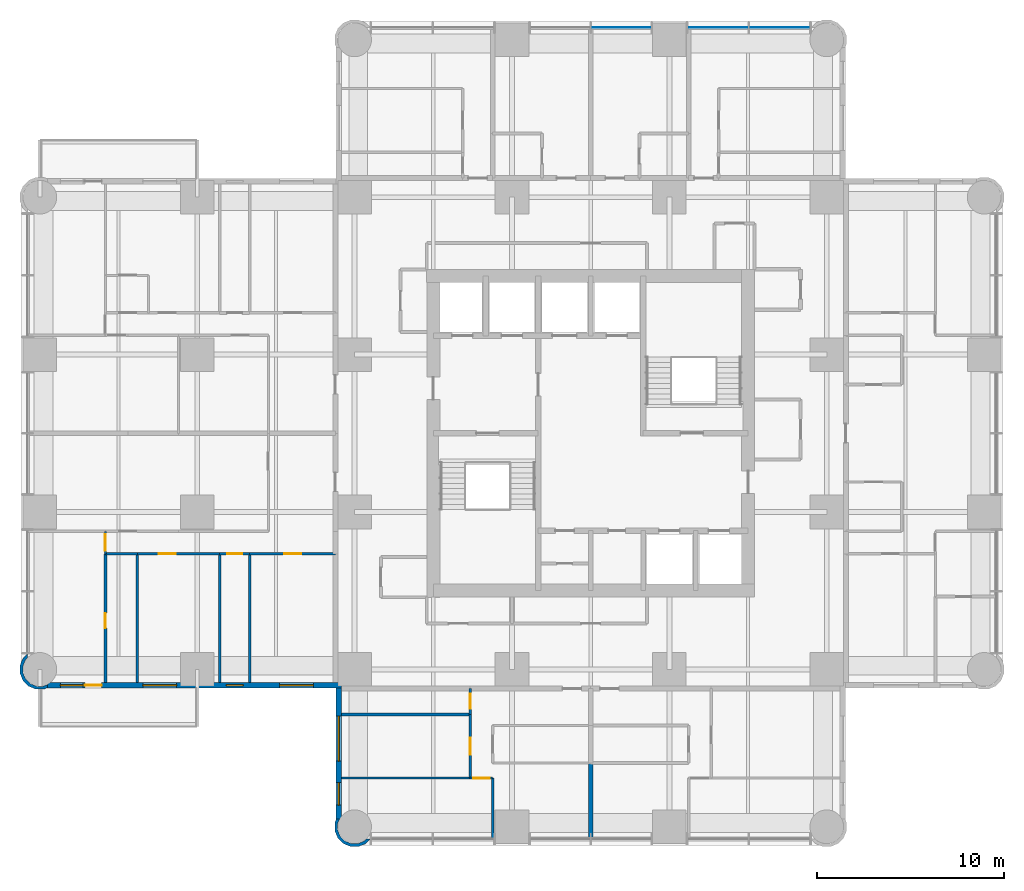
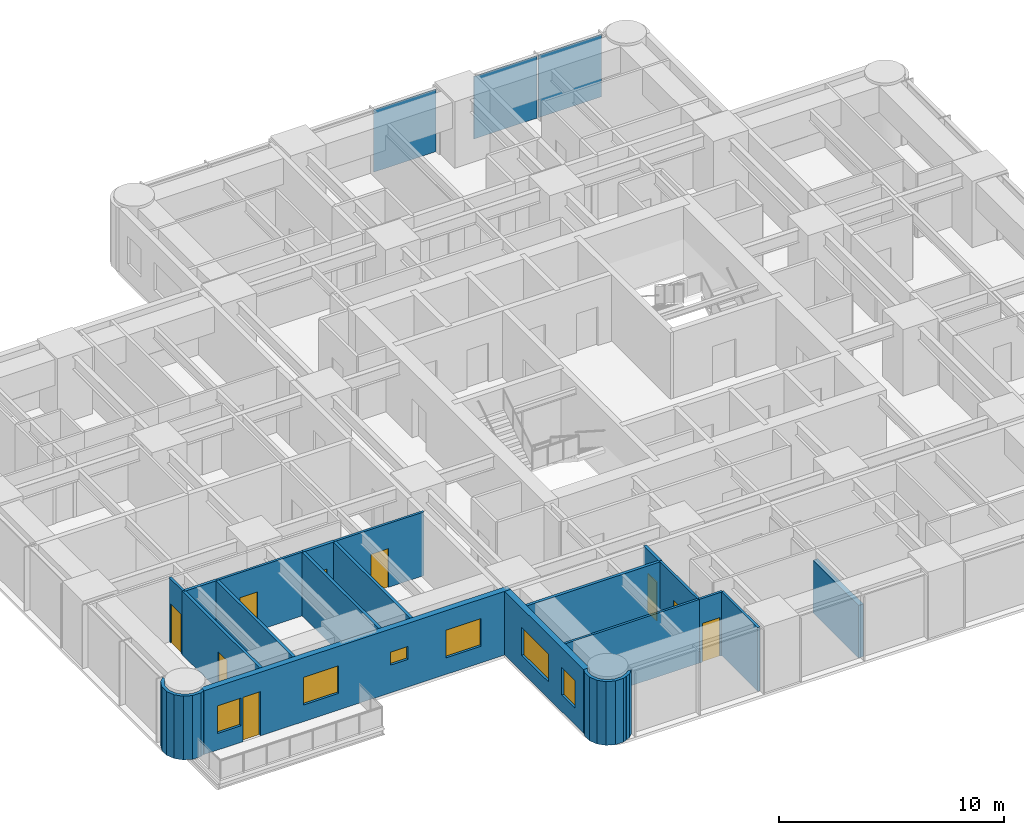
# One storey, part 4 of 11: 20 walls, 9 doors, 6 windows, 3 plates, 15 openings, 1 element without a shape of its own.
"""IFC4 building model written with IfcOpenShell, lengths in metres."""

from ifc_helpers import new_model, si_unit, direction, frame, frame_2d, origin, origin_2d, place, context, subcontext, project, spatial, polyline, rectangle, outline, extrude, material, layer, layer_set, type_object, element, fill, aggregate, save


model = new_model("IFC4")

# Units and contexts
model_context = context("Model", 3, precision=1e-05, world=origin(), true_north=direction((0.0, 1.0)))
body_context = subcontext(model_context, "Body", "Model", "MODEL_VIEW")
ifc_project = project(units=[si_unit("LENGTHUNIT", "METRE"), si_unit("AREAUNIT", "SQUARE_METRE"), si_unit("VOLUMEUNIT", "CUBIC_METRE"), si_unit("PLANEANGLEUNIT", "RADIAN"), si_unit("MASSUNIT", "GRAM", prefix="KILO")], contexts=[model_context])

# Site, building, storey
site_placement = place(None, origin())
site = spatial("IfcSite", under=ifc_project, at=site_placement, CompositionType="ELEMENT")
building_placement = place(site_placement, origin())
building = spatial("IfcBuilding", under=site, at=building_placement, Name="Torre Alcanfor", CompositionType="ELEMENT")
storey_placement = place(building_placement, frame((0.0, 0.0, 186.89990234375)))
storey = spatial("IfcBuildingStorey", under=building, at=storey_placement, Name="L48", CompositionType="ELEMENT", Elevation=186.89990234375)

# Curtain wall, plates
ifc_material_1 = material(Name="Aluminium and glass", Category="aluminium")
curtain_wall_type = type_object("IfcCurtainWallType", Name="CW-A unitised apartment glazing with vertical FIN", PredefinedType="NOTDEFINED", material=ifc_material_1)
curtain_wall_placement = place(storey_placement, origin())
curtain_wall = element("IfcCurtainWall", 1, at=curtain_wall_placement, inside=storey, type_object=curtain_wall_type, Name="Curtain wall CW-A L48 11", PredefinedType="NOTDEFINED")
ifc_material_2 = material(Name="Glass", Category="glass")
ifc_layer_1 = layer(ifc_material_2, 0.028076171875)
ifc_layer_set_1 = layer_set([ifc_layer_1], Name="CW-A clear double glazed unit")
plate_type = type_object("IfcPlateType", Name="CW-A clear double glazed unit", PredefinedType="CURTAIN_PANEL", material=ifc_layer_set_1)
plate_1_placement = place(storey_placement, frame((39.484130859375, 51.050048828125, 0.0), z_axis=(0.0, 0.0, 1.0), x_axis=(-1.0, 0.0, 0.0)))
plate_1 = element("IfcPlate", 2, at=plate_1_placement, type_object=plate_type, Name="CW-A panel 1.1.1", PredefinedType="CURTAIN_PANEL", context=body_context, shape_type="SweptSolid", body=[
    extrude(rectangle(XDim=3.232666015625, YDim=0.028076171875, at=origin_2d()), origin(), (0.0, 0.0, 1.0), 3.385009765625),
])
plate_2_placement = place(storey_placement, frame((36.186279296875, 51.050048828125, 0.0), z_axis=(0.0, 0.0, 1.0), x_axis=(-1.0, 0.0, 0.0)))
plate_2 = element("IfcPlate", 3, at=plate_2_placement, type_object=plate_type, Name="CW-A panel 1.2.1", PredefinedType="CURTAIN_PANEL", context=body_context, shape_type="SweptSolid", body=[
    extrude(rectangle(XDim=3.232666015625, YDim=0.028076171875, at=origin_2d()), origin(), (0.0, 0.0, 1.0), 3.385009765625),
])
plate_3_placement = place(storey_placement, frame((31.03125, 51.050048828125, 0.0), z_axis=(0.0, 0.0, 1.0), x_axis=(-1.0, 0.0, 0.0)))
plate_3 = element("IfcPlate", 4, at=plate_3_placement, type_object=plate_type, Name="CW-A panel 2.1.1", PredefinedType="CURTAIN_PANEL", context=body_context, shape_type="SweptSolid", body=[
    extrude(rectangle(XDim=3.197509765625, YDim=0.028076171875, at=origin_2d()), origin(), (0.0, 0.0, 1.0), 3.385009765625),
])
aggregate(curtain_wall, [plate_1, plate_2, plate_3])

# Wall, opening, door
ifc_material_3 = material(Name="Gypsum board on steel studs", Category="steel")
ifc_layer_2 = layer(ifc_material_3, 0.1201171875)
ifc_layer_set_2 = layer_set([ifc_layer_2], Name="Apartment partition 120")
wall_type_1 = type_object("IfcWallType", Name="Apartment partition 120", PredefinedType="PARTITIONING", material=ifc_layer_set_2)
wall_1_placement = place(storey_placement, frame((22.970947265625, 11.0, 0.0), z_axis=(0.0, 0.0, 1.0), x_axis=(0.0, 1.0, 0.0)))
wall_1 = element("IfcWall", 5, at=wall_1_placement, inside=storey, type_object=wall_type_1, Name="Partition L48-S2-LIVING / L48-S2-STUDY", PredefinedType="PARTITIONING", context=body_context, shape_type="SweptSolid", body=[
    extrude(rectangle(XDim=3.39990234375, YDim=0.1201171875, at=frame_2d((1.699951171875, 0.0))), origin(), (0.0, 0.0, 1.0), 3.4501953125),
])
opening_1_placement = place(wall_1_placement, frame((1.25, 0.0, 0.0)))
opening_1 = element("IfcOpeningElement", 6, at=opening_1_placement, cuts=wall_1, Name="Opening D-R1", PredefinedType="OPENING", context=body_context, shape_type="SweptSolid", body=[
    extrude(rectangle(XDim=0.89990234375, YDim=2.10009765625, at=frame_2d((0.449951171875, 1.050048828125))), frame((0.0, 0.070068359375, 0.0), z_axis=(0.0, -1.0, 0.0), x_axis=(1.0, 0.0, 0.0)), (0.0, 0.0, 1.0), 0.14013671875),
])
ifc_material_4 = material(Name="Timber", Category="wood")
door_type_1 = type_object("IfcDoorType", Name="Internal door 900x2100", OperationType="SINGLE_SWING_LEFT", PredefinedType="DOOR", material=ifc_material_4)
door_1_placement = place(opening_1_placement, origin())
door_1 = element("IfcDoor", 7, at=door_1_placement, inside=storey, type_object=door_type_1, Name="Door L48-S2 study", OperationType="SINGLE_SWING_LEFT", OverallHeight=2.10009765625, OverallWidth=0.89990234375, PredefinedType="DOOR", context=body_context, shape_type="SweptSolid", body=[
    extrude(rectangle(XDim=0.89990234375, YDim=2.10009765625, at=frame_2d((0.449951171875, 1.050048828125))), frame((0.0, 0.02490234375, 0.0), z_axis=(0.0, -1.0, 0.0), x_axis=(1.0, 0.0, 0.0)), (0.0, 0.0, 1.0), 0.050048828125),
])
fill(opening_1, door_1)

# Wall
wall_2_placement = place(storey_placement, frame((24.1708984375, 7.75, 0.0), z_axis=(0.0, 0.0, 1.0), x_axis=(0.0, 1.0, 0.0)))
element("IfcWall", 8, at=wall_2_placement, inside=storey, type_object=wall_type_1, Name="Partition L48-S2-LIVING / L48-S2-MASTER", PredefinedType="PARTITIONING", context=body_context, shape_type="SweptSolid", body=[
    extrude(rectangle(XDim=3.25, YDim=0.1201171875, at=frame_2d((1.625, 0.0))), origin(), (0.0, 0.0, 1.0), 3.4501953125),
])

# Wall, opening, door
wall_3_placement = place(storey_placement, frame((24.1708984375, 11.0, 0.0), z_axis=(0.0, 0.0, 1.0), x_axis=(-1.0, 0.0, 0.0)))
wall_3 = element("IfcWall", 9, at=wall_3_placement, inside=storey, type_object=wall_type_1, Name="Partition L48-S2-LIVING / L48-S2-MASTER", PredefinedType="PARTITIONING", context=body_context, shape_type="SweptSolid", body=[
    extrude(rectangle(XDim=1.199951171875, YDim=0.1201171875, at=frame_2d((0.60009765625, 0.0))), origin(), (0.0, 0.0, 1.0), 3.4501953125),
])
opening_2_placement = place(wall_3_placement, frame((0.15087890625, 0.0, 0.0)))
opening_2 = element("IfcOpeningElement", 10, at=opening_2_placement, cuts=wall_3, Name="Opening D-R1", PredefinedType="OPENING", context=body_context, shape_type="SweptSolid", body=[
    extrude(rectangle(XDim=0.89990234375, YDim=2.10009765625, at=frame_2d((0.449951171875, 1.050048828125))), frame((0.0, 0.070068359375, 0.0), z_axis=(0.0, -1.0, 0.0), x_axis=(1.0, 0.0, 0.0)), (0.0, 0.0, 1.0), 0.14013671875),
])
door_2_placement = place(opening_2_placement, origin())
door_2 = element("IfcDoor", 11, at=door_2_placement, inside=storey, type_object=door_type_1, Name="Door L48-S2 master", OperationType="SINGLE_SWING_LEFT", OverallHeight=2.10009765625, OverallWidth=0.89990234375, PredefinedType="DOOR", context=body_context, shape_type="SweptSolid", body=[
    extrude(rectangle(XDim=0.89990234375, YDim=2.10009765625, at=frame_2d((0.449951171875, 1.050048828125))), frame((0.0, 0.02490234375, 0.0), z_axis=(0.0, -1.0, 0.0), x_axis=(1.0, 0.0, 0.0)), (0.0, 0.0, 1.0), 0.050048828125),
])
fill(opening_2, door_2)

# Wall
wall_4_placement = place(storey_placement, frame((22.970947265625, 11.0, 0.0), z_axis=(0.0, 0.0, 1.0), x_axis=(-1.0, 0.0, 0.0)))
element("IfcWall", 12, at=wall_4_placement, inside=storey, type_object=wall_type_1, Name="Partition L48-S2-STUDY / L48-S2-MASTER", PredefinedType="PARTITIONING", context=body_context, shape_type="SweptSolid", body=[
    extrude(rectangle(XDim=6.870849609375, YDim=0.1201171875, at=frame_2d((3.435546875, 0.0))), origin(), (0.0, 0.0, 1.0), 3.4501953125),
])

# Wall, opening, door
wall_5_placement = place(storey_placement, frame((11.199951171875, 22.970947265625, 0.0), z_axis=(0.0, 0.0, 1.0), x_axis=(1.0, 0.0, 0.0)))
wall_5 = element("IfcWall", 13, at=wall_5_placement, inside=storey, type_object=wall_type_1, Name="Partition L48-W1-HALL / L48-W1-BED3", PredefinedType="PARTITIONING", context=body_context, shape_type="SweptSolid", body=[
    extrude(rectangle(XDim=4.574951171875, YDim=0.1201171875, at=frame_2d((2.28759765625, 0.0))), origin(), (0.0, 0.0, 1.0), 3.4501953125),
])
opening_3_placement = place(wall_5_placement, frame((1.85009765625, 0.0, 0.0)))
opening_3 = element("IfcOpeningElement", 14, at=opening_3_placement, cuts=wall_5, Name="Opening D-R1", PredefinedType="OPENING", context=body_context, shape_type="SweptSolid", body=[
    extrude(rectangle(XDim=0.89990234375, YDim=2.10009765625, at=frame_2d((0.449951171875, 1.050048828125))), frame((0.0, 0.070068359375, 0.0), z_axis=(0.0, -1.0, 0.0), x_axis=(1.0, 0.0, 0.0)), (0.0, 0.0, 1.0), 0.14013671875),
])
door_3_placement = place(opening_3_placement, frame((0.89990234375, 0.0, 0.0), z_axis=(0.0, 0.0, 1.0), x_axis=(-1.0, 0.0, 0.0)))
door_3 = element("IfcDoor", 15, at=door_3_placement, inside=storey, type_object=door_type_1, Name="Door L48-W1 bed3", OperationType="SINGLE_SWING_LEFT", OverallHeight=2.10009765625, OverallWidth=0.89990234375, PredefinedType="DOOR", context=body_context, shape_type="SweptSolid", body=[
    extrude(rectangle(XDim=0.89990234375, YDim=2.10009765625, at=frame_2d((0.449951171875, 1.050048828125))), frame((0.0, 0.025146484375, 0.0), z_axis=(0.0, -1.0, 0.0), x_axis=(1.0, 0.0, 0.0)), (0.0, 0.0, 1.0), 0.050048828125),
])
fill(opening_3, door_3)

wall_6_placement = place(storey_placement, frame((5.199951171875, 22.970947265625, 0.0), z_axis=(0.0, 0.0, 1.0), x_axis=(1.0, 0.0, 0.0)))
wall_6 = element("IfcWall", 16, at=wall_6_placement, inside=storey, type_object=wall_type_1, Name="Partition L48-W1-HALL / L48-W1-BED2", PredefinedType="PARTITIONING", context=body_context, shape_type="SweptSolid", body=[
    extrude(rectangle(XDim=4.400146484375, YDim=0.1201171875, at=frame_2d((2.2001953125, 0.0))), origin(), (0.0, 0.0, 1.0), 3.4501953125),
])
opening_4_placement = place(wall_6_placement, frame((1.14990234375, 0.0, 0.0)))
opening_4 = element("IfcOpeningElement", 17, at=opening_4_placement, cuts=wall_6, Name="Opening D-R1", PredefinedType="OPENING", context=body_context, shape_type="SweptSolid", body=[
    extrude(rectangle(XDim=0.89990234375, YDim=2.10009765625, at=frame_2d((0.449951171875, 1.050048828125))), frame((0.0, 0.070068359375, 0.0), z_axis=(0.0, -1.0, 0.0), x_axis=(1.0, 0.0, 0.0)), (0.0, 0.0, 1.0), 0.14013671875),
])
door_4_placement = place(opening_4_placement, frame((0.89990234375, 0.0, 0.0), z_axis=(0.0, 0.0, 1.0), x_axis=(-1.0, 0.0, 0.0)))
door_4 = element("IfcDoor", 18, at=door_4_placement, inside=storey, type_object=door_type_1, Name="Door L48-W1 bed2", OperationType="SINGLE_SWING_RIGHT", OverallHeight=2.10009765625, OverallWidth=0.89990234375, PredefinedType="DOOR", context=body_context, shape_type="SweptSolid", body=[
    extrude(rectangle(XDim=0.89990234375, YDim=2.10009765625, at=frame_2d((0.449951171875, 1.050048828125))), frame((0.0, 0.025146484375, 0.0), z_axis=(0.0, -1.0, 0.0), x_axis=(1.0, 0.0, 0.0)), (0.0, 0.0, 1.0), 0.050048828125),
])
fill(opening_4, door_4)

wall_7_placement = place(storey_placement, frame((3.5, 24.1708984375, 0.0), z_axis=(0.0, 0.0, 1.0), x_axis=(0.0, -1.0, 0.0)))
wall_7 = element("IfcWall", 19, at=wall_7_placement, inside=storey, type_object=wall_type_1, Name="Partition L48-W1-HALL / L48-W1-MASTER", PredefinedType="PARTITIONING", context=body_context, shape_type="SweptSolid", body=[
    extrude(rectangle(XDim=1.199951171875, YDim=0.1201171875, at=frame_2d((0.60009765625, 0.0))), origin(), (0.0, 0.0, 1.0), 3.4501953125),
])
opening_5_placement = place(wall_7_placement, frame((0.15087890625, 0.0, 0.0)))
opening_5 = element("IfcOpeningElement", 20, at=opening_5_placement, cuts=wall_7, Name="Opening D-R1", PredefinedType="OPENING", context=body_context, shape_type="SweptSolid", body=[
    extrude(rectangle(XDim=0.89990234375, YDim=2.10009765625, at=frame_2d((0.449951171875, 1.050048828125))), frame((0.0, 0.070068359375, 0.0), z_axis=(0.0, -1.0, 0.0), x_axis=(1.0, 0.0, 0.0)), (0.0, 0.0, 1.0), 0.14013671875),
])
door_5_placement = place(opening_5_placement, frame((0.89990234375, 0.0, 0.0), z_axis=(0.0, 0.0, 1.0), x_axis=(-1.0, 0.0, 0.0)))
door_5 = element("IfcDoor", 21, at=door_5_placement, inside=storey, type_object=door_type_1, Name="Door L48-W1 master", OperationType="SINGLE_SWING_RIGHT", OverallHeight=2.10009765625, OverallWidth=0.89990234375, PredefinedType="DOOR", context=body_context, shape_type="SweptSolid", body=[
    extrude(rectangle(XDim=0.89990234375, YDim=2.10009765625, at=frame_2d((0.449951171875, 1.050048828125))), frame((0.0, 0.025146484375, 0.0), z_axis=(0.0, -1.0, 0.0), x_axis=(1.0, 0.0, 0.0)), (0.0, 0.0, 1.0), 0.050048828125),
])
fill(opening_5, door_5)

# Wall, openings, door, windows
ifc_material_5 = material(Name="Limestone cladding", Category="masonry")
ifc_layer_3 = layer(ifc_material_5, 0.0400390625, Name="Facing")
ifc_material_6 = material(Name="Ventilated air cavity")
ifc_layer_4 = layer(ifc_material_6, 0.02001953125, ventilated=True, Name="Ventilated joint")
ifc_material_7 = material(Name="Mineral wool insulation", Category="insulation")
ifc_layer_5 = layer(ifc_material_7, 0.10009765625, Name="Insulation")
ifc_material_8 = material(Name="Concrete f'c 35 MPa", Category="concrete")
ifc_layer_6 = layer(ifc_material_8, 0.139892578125, Name="Backing")
ifc_layer_set_3 = layer_set([ifc_layer_3, ifc_layer_4, ifc_layer_5, ifc_layer_6], Name="External wall stone-clad 300")
wall_type_2 = type_object("IfcWallType", Name="External wall stone-clad 300", PredefinedType="SOLIDWALL", material=ifc_layer_set_3)
wall_8_placement = place(storey_placement, frame((0.39990234375, 15.949951171875, 0.0), z_axis=(0.0, 0.0, 1.0), x_axis=(1.0, 0.0, 0.0)))
wall_8 = element("IfcWall", 22, at=wall_8_placement, inside=storey, type_object=wall_type_2, Name="External wall L48 3", PredefinedType="SOLIDWALL", context=body_context, shape_type="SweptSolid", body=[
    extrude(rectangle(XDim=15.7001953125, YDim=0.300048828125, at=frame_2d((7.85009765625, 0.0))), origin(), (0.0, 0.0, 1.0), 3.4501953125),
])
opening_6_placement = place(wall_8_placement, frame((12.39990234375, 0.0, 0.89990234375)))
opening_6 = element("IfcOpeningElement", 23, at=opening_6_placement, cuts=wall_8, Name="Opening W2", PredefinedType="OPENING", context=body_context, shape_type="SweptSolid", body=[
    extrude(rectangle(XDim=1.800048828125, YDim=1.5, at=frame_2d((0.89990234375, 0.75))), frame((0.0, 0.159912109375, 0.0), z_axis=(0.0, -1.0, 0.0), x_axis=(1.0, 0.0, 0.0)), (0.0, 0.0, 1.0), 0.320068359375),
])
opening_7_placement = place(wall_8_placement, frame((9.550048828125, 0.0, 1.5)))
opening_7 = element("IfcOpeningElement", 24, at=opening_7_placement, cuts=wall_8, Name="Opening W3", PredefinedType="OPENING", context=body_context, shape_type="SweptSolid", body=[
    extrude(rectangle(XDim=0.89990234375, YDim=0.699951171875, at=frame_2d((0.449951171875, 0.35009765625))), frame((0.0, 0.159912109375, 0.0), z_axis=(0.0, -1.0, 0.0), x_axis=(1.0, 0.0, 0.0)), (0.0, 0.0, 1.0), 0.320068359375),
])
opening_8_placement = place(wall_8_placement, frame((5.10009765625, 0.0, 0.89990234375)))
opening_8 = element("IfcOpeningElement", 25, at=opening_8_placement, cuts=wall_8, Name="Opening W2", PredefinedType="OPENING", context=body_context, shape_type="SweptSolid", body=[
    extrude(rectangle(XDim=1.800048828125, YDim=1.5, at=frame_2d((0.89990234375, 0.75))), frame((0.0, 0.159912109375, 0.0), z_axis=(0.0, -1.0, 0.0), x_axis=(1.0, 0.0, 0.0)), (0.0, 0.0, 1.0), 0.320068359375),
])
opening_9_placement = place(wall_8_placement, frame((2.0, 0.0, 0.0)))
opening_9 = element("IfcOpeningElement", 26, at=opening_9_placement, cuts=wall_8, Name="Opening D-B1", PredefinedType="OPENING", context=body_context, shape_type="SweptSolid", body=[
    extrude(rectangle(XDim=0.89990234375, YDim=2.39990234375, at=frame_2d((0.449951171875, 1.199951171875))), frame((0.0, 0.159912109375, 0.0), z_axis=(0.0, -1.0, 0.0), x_axis=(1.0, 0.0, 0.0)), (0.0, 0.0, 1.0), 0.320068359375),
])
opening_10_placement = place(wall_8_placement, frame((0.699951171875, 0.0, 0.89990234375)))
opening_10 = element("IfcOpeningElement", 27, at=opening_10_placement, cuts=wall_8, Name="Opening W4", PredefinedType="OPENING", context=body_context, shape_type="SweptSolid", body=[
    extrude(rectangle(XDim=1.199951171875, YDim=1.5, at=frame_2d((0.60009765625, 0.75))), frame((0.0, 0.159912109375, 0.0), z_axis=(0.0, -1.0, 0.0), x_axis=(1.0, 0.0, 0.0)), (0.0, 0.0, 1.0), 0.320068359375),
])
ifc_material_9 = material(Name="Aluminium and glass", Category="aluminium")
door_type_2 = type_object("IfcDoorType", Name="Balcony door glazed 900x2400", OperationType="SINGLE_SWING_LEFT", PredefinedType="DOOR", material=ifc_material_9)
door_6_placement = place(opening_9_placement, origin())
door_6 = element("IfcDoor", 28, at=door_6_placement, inside=storey, type_object=door_type_2, Name="Balcony door L48-W1", OperationType="SINGLE_SWING_RIGHT", OverallHeight=2.39990234375, OverallWidth=0.89990234375, PredefinedType="DOOR", context=body_context, shape_type="SweptSolid", body=[
    extrude(rectangle(XDim=0.89990234375, YDim=2.39990234375, at=frame_2d((0.449951171875, 1.199951171875))), frame((0.0, 0.02490234375, 0.0), z_axis=(0.0, -1.0, 0.0), x_axis=(1.0, 0.0, 0.0)), (0.0, 0.0, 1.0), 0.050048828125),
])
fill(opening_9, door_6)
ifc_material_10 = material(Name="Aluminium frame with clear double glazing", Category="aluminium")
window_type_1 = type_object("IfcWindowType", Name="Window bathroom 900x700", PartitioningType="SINGLE_PANEL", PredefinedType="WINDOW", material=ifc_material_10)
window_1_placement = place(opening_7_placement, origin())
window_1 = element("IfcWindow", 29, at=window_1_placement, inside=storey, type_object=window_type_1, Name="Window W3 L48-W1", OverallHeight=0.699951171875, OverallWidth=0.89990234375, PartitioningType="SINGLE_PANEL", PredefinedType="WINDOW", context=body_context, shape_type="SweptSolid", body=[
    extrude(rectangle(XDim=0.89990234375, YDim=0.699951171875, at=frame_2d((0.449951171875, 0.35009765625))), frame((0.0, 0.030029296875, 0.0), z_axis=(0.0, -1.0, 0.0), x_axis=(1.0, 0.0, 0.0)), (0.0, 0.0, 1.0), 0.06005859375),
])
fill(opening_7, window_1)
ifc_material_11 = material(Name="Aluminium frame with clear double glazing", Category="aluminium")
window_type_2 = type_object("IfcWindowType", Name="Window bedroom 1200x1500", PartitioningType="SINGLE_PANEL", PredefinedType="WINDOW", material=ifc_material_11)
window_2_placement = place(opening_10_placement, origin())
window_2 = element("IfcWindow", 30, at=window_2_placement, inside=storey, type_object=window_type_2, Name="Window W4 L48-W1", OverallHeight=1.5, OverallWidth=1.199951171875, PartitioningType="SINGLE_PANEL", PredefinedType="WINDOW", context=body_context, shape_type="SweptSolid", body=[
    extrude(rectangle(XDim=1.199951171875, YDim=1.5, at=frame_2d((0.60009765625, 0.75))), frame((0.0, 0.030029296875, 0.0), z_axis=(0.0, -1.0, 0.0), x_axis=(1.0, 0.0, 0.0)), (0.0, 0.0, 1.0), 0.06005859375),
])
fill(opening_10, window_2)
ifc_material_12 = material(Name="Aluminium frame with clear double glazing", Category="aluminium")
window_type_3 = type_object("IfcWindowType", Name="Window bedroom 1800x1500", PartitioningType="SINGLE_PANEL", PredefinedType="WINDOW", material=ifc_material_12)
window_3_placement = place(opening_6_placement, origin())
window_3 = element("IfcWindow", 31, at=window_3_placement, inside=storey, type_object=window_type_3, Name="Window W2 L48-W1", OverallHeight=1.5, OverallWidth=1.800048828125, PartitioningType="SINGLE_PANEL", PredefinedType="WINDOW", context=body_context, shape_type="SweptSolid", body=[
    extrude(rectangle(XDim=1.800048828125, YDim=1.5, at=frame_2d((0.89990234375, 0.75))), frame((0.0, 0.030029296875, 0.0), z_axis=(0.0, -1.0, 0.0), x_axis=(1.0, 0.0, 0.0)), (0.0, 0.0, 1.0), 0.06005859375),
])
fill(opening_6, window_3)
window_4_placement = place(opening_8_placement, origin())
window_4 = element("IfcWindow", 32, at=window_4_placement, inside=storey, type_object=window_type_3, Name="Window W2 L48-W1", OverallHeight=1.5, OverallWidth=1.800048828125, PartitioningType="SINGLE_PANEL", PredefinedType="WINDOW", context=body_context, shape_type="SweptSolid", body=[
    extrude(rectangle(XDim=1.800048828125, YDim=1.5, at=frame_2d((0.89990234375, 0.75))), frame((0.0, 0.030029296875, 0.0), z_axis=(0.0, -1.0, 0.0), x_axis=(1.0, 0.0, 0.0)), (0.0, 0.0, 1.0), 0.06005859375),
])
fill(opening_8, window_4)

# Wall, openings, windows
wall_9_placement = place(storey_placement, frame((15.949951171875, 15.800048828125, 0.0), z_axis=(0.0, 0.0, 1.0), x_axis=(0.0, -1.0, 0.0)))
wall_9 = element("IfcWall", 33, at=wall_9_placement, inside=storey, type_object=wall_type_2, Name="External wall L48 4", PredefinedType="SOLIDWALL", context=body_context, shape_type="SweptSolid", body=[
    extrude(rectangle(XDim=7.0, YDim=0.300048828125, at=frame_2d((3.5, 0.0))), origin(), (0.0, 0.0, 1.0), 3.4501953125),
])
opening_11_placement = place(wall_9_placement, frame((1.5, 0.0, 0.89990234375)))
opening_11 = element("IfcOpeningElement", 34, at=opening_11_placement, cuts=wall_9, Name="Opening W1", PredefinedType="OPENING", context=body_context, shape_type="SweptSolid", body=[
    extrude(rectangle(XDim=2.39990234375, YDim=1.5, at=frame_2d((1.199951171875, 0.75))), frame((0.0, 0.159912109375, 0.0), z_axis=(0.0, -1.0, 0.0), x_axis=(1.0, 0.0, 0.0)), (0.0, 0.0, 1.0), 0.320068359375),
])
opening_12_placement = place(wall_9_placement, frame((5.050048828125, 0.0, 0.89990234375)))
opening_12 = element("IfcOpeningElement", 35, at=opening_12_placement, cuts=wall_9, Name="Opening W4", PredefinedType="OPENING", context=body_context, shape_type="SweptSolid", body=[
    extrude(rectangle(XDim=1.199951171875, YDim=1.5, at=frame_2d((0.60009765625, 0.75))), frame((0.0, 0.159912109375, 0.0), z_axis=(0.0, -1.0, 0.0), x_axis=(1.0, 0.0, 0.0)), (0.0, 0.0, 1.0), 0.320068359375),
])
window_5_placement = place(opening_12_placement, origin())
window_5 = element("IfcWindow", 36, at=window_5_placement, inside=storey, type_object=window_type_2, Name="Window W4 L48-S2", OverallHeight=1.5, OverallWidth=1.199951171875, PartitioningType="SINGLE_PANEL", PredefinedType="WINDOW", context=body_context, shape_type="SweptSolid", body=[
    extrude(rectangle(XDim=1.199951171875, YDim=1.5, at=frame_2d((0.60009765625, 0.75))), frame((0.0, 0.030029296875, 0.0), z_axis=(0.0, -1.0, 0.0), x_axis=(1.0, 0.0, 0.0)), (0.0, 0.0, 1.0), 0.06005859375),
])
fill(opening_12, window_5)
ifc_material_13 = material(Name="Aluminium frame with clear double glazing", Category="aluminium")
window_type_4 = type_object("IfcWindowType", Name="Window bedroom 2400x1500", PartitioningType="SINGLE_PANEL", PredefinedType="WINDOW", material=ifc_material_13)
window_6_placement = place(opening_11_placement, origin())
window_6 = element("IfcWindow", 37, at=window_6_placement, inside=storey, type_object=window_type_4, Name="Window W1 L48-S2", OverallHeight=1.5, OverallWidth=2.39990234375, PartitioningType="SINGLE_PANEL", PredefinedType="WINDOW", context=body_context, shape_type="SweptSolid", body=[
    extrude(rectangle(XDim=2.39990234375, YDim=1.5, at=frame_2d((1.199951171875, 0.75))), frame((0.0, 0.030029296875, 0.0), z_axis=(0.0, -1.0, 0.0), x_axis=(1.0, 0.0, 0.0)), (0.0, 0.0, 1.0), 0.06005859375),
])
fill(opening_11, window_6)

# Walls
ifc_material_14 = material(Name="Concrete block masonry, hollow blocks NMX-C-404 9 MPa", Category="masonry")
ifc_layer_7 = layer(ifc_material_14, 0.25)
ifc_layer_set_4 = layer_set([ifc_layer_7], Name="Party wall 250 EI 60")
wall_type_3 = type_object("IfcWallType", Name="Party wall 250 EI 60", PredefinedType="PARTITIONING", material=ifc_layer_set_4)
wall_10_placement = place(storey_placement, frame((29.39990234375, 7.75, 0.0), z_axis=(0.0, 0.0, 1.0), x_axis=(0.0, 1.0, 0.0)))
element("IfcWall", 38, at=wall_10_placement, inside=storey, type_object=wall_type_3, Name="Partition L48-S1-LIVING / L48-S2-LIVING", PredefinedType="PARTITIONING", context=body_context, shape_type="SweptSolid", body=[
    extrude(rectangle(XDim=4.050048828125, YDim=0.25, at=frame_2d((2.02490234375, 0.0))), origin(), (0.0, 0.0, 1.0), 2.84814453125),
])
ifc_layer_8 = layer(ifc_material_5, 0.0400390625, Name="Facing")
ifc_layer_9 = layer(ifc_material_6, 0.02001953125, ventilated=True, Name="Ventilated joint")
ifc_layer_10 = layer(ifc_material_7, 0.10009765625, Name="Insulation")
ifc_layer_11 = layer(ifc_material_8, 0.139892578125, Name="Backing")
ifc_layer_set_5 = layer_set([ifc_layer_8, ifc_layer_9, ifc_layer_10, ifc_layer_11], Name="Rounded corner pier stone-clad 300")
wall_type_4 = type_object("IfcWallType", Name="Rounded corner pier stone-clad 300", PredefinedType="SOLIDWALL", material=ifc_layer_set_5)
wall_11_placement = place(storey_placement, frame((-0.610519256, 17.56659392, 0.0), z_axis=(0.0, 0.0, 1.0), x_axis=(-0.926129809145, -0.377204953059, 0.0)))
element("IfcWall", 39, at=wall_11_placement, inside=storey, type_object=wall_type_4, Name="Corner pier L48 14", PredefinedType="SOLIDWALL", context=body_context, shape_type="SweptSolid", body=[
    extrude(outline(polyline([(-0.2694320048751383, 2.0171861008885523), (-0.3700526678318482, 1.8406866495551875), (-0.10232913830325796, 1.8423628952563784), (0.22959433821660935, 1.7071732294627), (0.4846648868960458, 1.4551341488862783), (0.6237723089217844, 1.1248457008471362), (0.6256501657648526, 0.7663568996565957), (0.49046049997117414, 0.4344334231367283), (0.2387396163581813, 0.17949688931473468), (0.09014163443691028, 0.11691195088889664), (0.010851237809964043, -0.07776523799639344), (0.024417592436116662, -0.08329070117597158), (0.32956848036437986, 0.045229547111777235), (0.4801338191951393, 0.19743274075920003), (0.4990091877024963, 0.1926447125875501), (0.5075557555746872, 0.2252788612711387), (0.6260018077392729, 0.3452223941390844), (0.7850430562581303, 0.7357073014618439), (0.782472278983801, 1.15721841463542), (0.6187061231885674, 1.5460551039454697), (0.3187132761612602, 1.8424884313203629), (-0.07154552525106339, 2.0014375887862275), (-0.2401131340992967, 2.00049972024067), (-0.2694320048751383, 2.0171861008885523)])), origin(), (0.0, 0.0, 1.0), 3.4501953125),
])
wall_12_placement = place(storey_placement, frame((15.890092843, 8.763962863, 0.0), z_axis=(0.0, 0.0, 1.0), x_axis=(-0.377204953059, -0.926129809145, 0.0)))
element("IfcWall", 40, at=wall_12_placement, inside=storey, type_object=wall_type_4, Name="Corner pier L48 15", PredefinedType="SOLIDWALL", context=body_context, shape_type="SweptSolid", body=[
    extrude(outline(polyline([(0.36034450563262843, 1.8033619899607123), (0.5087163816434637, 1.7406849604818813), (0.7606633711668922, 1.4858405177128808), (0.8958530369605706, 1.1539170411930133), (0.8937490742070667, 0.7953361489494798), (0.7546416521813281, 0.46504770091033776), (0.4997972094123275, 0.21310071138690906), (0.1678737328924601, 0.07791104559323066), (-0.0998497966361302, 0.07958729129442146), (0.0005447604101438894, -0.09700425109193639), (0.030089737096421466, -0.0802257793910609), (0.1984312400342189, -0.08125573898961119), (0.5889161473569784, 0.07778550952924612), (0.8889089943842856, 0.3742188369041392), (1.0524490442690833, 0.7629634351611959), (1.0550198215434126, 1.184474548334772), (0.8959785730245553, 1.5749594556575315), (0.7777586267704055, 1.6949950795784703), (0.7692120588982145, 1.727629228262059), (0.7501105844804216, 1.7227491090374158), (0.599545245649662, 1.874952302684839), (0.2946204636318348, 2.0035646420255806), (0.2810541090056822, 1.9980391788460024), (0.36034450563262843, 1.8033619899607123)])), origin(), (0.0, 0.0, 1.0), 3.4501953125),
])

# Wall, opening, door
ifc_material_15 = material(Name="Cement board on steel studs", Category="steel")
ifc_layer_12 = layer(ifc_material_15, 0.14990234375)
ifc_layer_set_6 = layer_set([ifc_layer_12], Name="Wet area partition 150")
wall_type_5 = type_object("IfcWallType", Name="Wet area partition 150", PredefinedType="PARTITIONING", material=ifc_layer_set_6)
wall_13_placement = place(storey_placement, frame((22.970947265625, 14.39990234375, 0.0), z_axis=(0.0, 0.0, 1.0), x_axis=(0.0, 1.0, 0.0)))
wall_13 = element("IfcWall", 41, at=wall_13_placement, inside=storey, type_object=wall_type_5, Name="Partition L48-S2-LIVING / L48-S2-BATH", PredefinedType="PARTITIONING", context=body_context, shape_type="SweptSolid", body=[
    extrude(rectangle(XDim=1.375, YDim=0.14990234375, at=frame_2d((0.6875, 0.0))), origin(), (0.0, 0.0, 1.0), 3.4501953125),
])
opening_13_placement = place(wall_13_placement, frame((0.300048828125, 0.0, 0.0)))
opening_13 = element("IfcOpeningElement", 42, at=opening_13_placement, cuts=wall_13, Name="Opening D-R2", PredefinedType="OPENING", context=body_context, shape_type="SweptSolid", body=[
    extrude(rectangle(XDim=0.800048828125, YDim=2.10009765625, at=frame_2d((0.39990234375, 1.050048828125))), frame((0.0, 0.0849609375, 0.0), z_axis=(0.0, -1.0, 0.0), x_axis=(1.0, 0.0, 0.0)), (0.0, 0.0, 1.0), 0.169921875),
])
ifc_material_16 = material(Name="Timber", Category="wood")
door_type_3 = type_object("IfcDoorType", Name="Bathroom door 800x2100", OperationType="SINGLE_SWING_LEFT", PredefinedType="DOOR", material=ifc_material_16)
door_7_placement = place(opening_13_placement, origin())
door_7 = element("IfcDoor", 43, at=door_7_placement, inside=storey, type_object=door_type_3, Name="Door L48-S2 bath", OperationType="SINGLE_SWING_RIGHT", OverallHeight=2.10009765625, OverallWidth=0.800048828125, PredefinedType="DOOR", context=body_context, shape_type="SweptSolid", body=[
    extrude(rectangle(XDim=0.800048828125, YDim=2.10009765625, at=frame_2d((0.39990234375, 1.050048828125))), frame((0.0, 0.02490234375, 0.0), z_axis=(0.0, -1.0, 0.0), x_axis=(1.0, 0.0, 0.0)), (0.0, 0.0, 1.0), 0.050048828125),
])
fill(opening_13, door_7)

# Wall
wall_14_placement = place(storey_placement, frame((22.970947265625, 14.39990234375, 0.0), z_axis=(0.0, 0.0, 1.0), x_axis=(-1.0, 0.0, 0.0)))
element("IfcWall", 44, at=wall_14_placement, inside=storey, type_object=wall_type_5, Name="Partition L48-S2-BATH / L48-S2-STUDY", PredefinedType="PARTITIONING", context=body_context, shape_type="SweptSolid", body=[
    extrude(rectangle(XDim=6.870849609375, YDim=0.14990234375, at=frame_2d((3.435546875, 0.0))), origin(), (0.0, 0.0, 1.0), 3.4501953125),
])

# Wall, opening, door
wall_15_placement = place(storey_placement, frame((9.60009765625, 22.970947265625, 0.0), z_axis=(0.0, 0.0, 1.0), x_axis=(1.0, 0.0, 0.0)))
wall_15 = element("IfcWall", 45, at=wall_15_placement, inside=storey, type_object=wall_type_5, Name="Partition L48-W1-HALL / L48-W1-BATH1", PredefinedType="PARTITIONING", context=body_context, shape_type="SweptSolid", body=[
    extrude(rectangle(XDim=1.599853515625, YDim=0.14990234375, at=frame_2d((0.7998046875, 0.0))), origin(), (0.0, 0.0, 1.0), 3.4501953125),
])
opening_14_placement = place(wall_15_placement, frame((0.39990234375, 0.0, 0.0)))
opening_14 = element("IfcOpeningElement", 46, at=opening_14_placement, cuts=wall_15, Name="Opening D-R2", PredefinedType="OPENING", context=body_context, shape_type="SweptSolid", body=[
    extrude(rectangle(XDim=0.800048828125, YDim=2.10009765625, at=frame_2d((0.39990234375, 1.050048828125))), frame((0.0, 0.0849609375, 0.0), z_axis=(0.0, -1.0, 0.0), x_axis=(1.0, 0.0, 0.0)), (0.0, 0.0, 1.0), 0.169921875),
])
door_8_placement = place(opening_14_placement, frame((0.800048828125, 0.0, 0.0), z_axis=(0.0, 0.0, 1.0), x_axis=(-1.0, 0.0, 0.0)))
door_8 = element("IfcDoor", 47, at=door_8_placement, inside=storey, type_object=door_type_3, Name="Door L48-W1 bath1", OperationType="SINGLE_SWING_RIGHT", OverallHeight=2.10009765625, OverallWidth=0.800048828125, PredefinedType="DOOR", context=body_context, shape_type="SweptSolid", body=[
    extrude(rectangle(XDim=0.800048828125, YDim=2.10009765625, at=frame_2d((0.400146484375, 1.050048828125))), frame((0.0, 0.025146484375, 0.0), z_axis=(0.0, -1.0, 0.0), x_axis=(1.0, 0.0, 0.0)), (0.0, 0.0, 1.0), 0.050048828125),
])
fill(opening_14, door_8)

# Walls
wall_16_placement = place(storey_placement, frame((3.5, 22.970947265625, 0.0), z_axis=(0.0, 0.0, 1.0), x_axis=(1.0, 0.0, 0.0)))
element("IfcWall", 48, at=wall_16_placement, inside=storey, type_object=wall_type_5, Name="Partition L48-W1-HALL / L48-W1-ENSBATH", PredefinedType="PARTITIONING", context=body_context, shape_type="SweptSolid", body=[
    extrude(rectangle(XDim=1.699951171875, YDim=0.14990234375, at=frame_2d((0.85009765625, 0.0))), origin(), (0.0, 0.0, 1.0), 3.4501953125),
])
for number, where, z_axis, x_axis, name in (
    (49, (11.199951171875, 22.970947265625, 0.0), (0.0, 0.0, 1.0), (0.0, -1.0, 0.0), "Partition L48-W1-BED3 / L48-W1-BATH1"),
    (50, (9.60009765625, 22.970947265625, 0.0), (0.0, 0.0, 1.0), (0.0, -1.0, 0.0), "Partition L48-W1-BATH1 / L48-W1-BED2"),
    (51, (5.199951171875, 22.970947265625, 0.0), (0.0, 0.0, 1.0), (0.0, -1.0, 0.0), "Partition L48-W1-BED2 / L48-W1-ENSBATH"),
):
    element("IfcWall", number, at=place(storey_placement, frame(where, z_axis=z_axis, x_axis=x_axis)), inside=storey, type_object=wall_type_5, Name=name, PredefinedType="PARTITIONING", context=body_context, shape_type="SweptSolid", body=[
        extrude(rectangle(XDim=6.870849609375, YDim=0.14990234375, at=frame_2d((3.435546875, 0.0))), origin(), (0.0, 0.0, 1.0), 3.4501953125),
    ])

# Wall, opening, door
wall_17_placement = place(storey_placement, frame((3.5, 22.970947265625, 0.0), z_axis=(0.0, 0.0, 1.0), x_axis=(0.0, -1.0, 0.0)))
wall_17 = element("IfcWall", 52, at=wall_17_placement, inside=storey, type_object=wall_type_5, Name="Partition L48-W1-ENSBATH / L48-W1-MASTER", PredefinedType="PARTITIONING", context=body_context, shape_type="SweptSolid", body=[
    extrude(rectangle(XDim=6.870849609375, YDim=0.14990234375, at=frame_2d((3.435546875, 0.0))), origin(), (0.0, 0.0, 1.0), 3.4501953125),
])
opening_15_placement = place(wall_17_placement, frame((3.1708984375, 0.0, 0.0)))
opening_15 = element("IfcOpeningElement", 53, at=opening_15_placement, cuts=wall_17, Name="Opening D-R2", PredefinedType="OPENING", context=body_context, shape_type="SweptSolid", body=[
    extrude(rectangle(XDim=0.800048828125, YDim=2.10009765625, at=frame_2d((0.39990234375, 1.050048828125))), frame((0.0, 0.0849609375, 0.0), z_axis=(0.0, -1.0, 0.0), x_axis=(1.0, 0.0, 0.0)), (0.0, 0.0, 1.0), 0.169921875),
])
door_9_placement = place(opening_15_placement, origin())
door_9 = element("IfcDoor", 54, at=door_9_placement, inside=storey, type_object=door_type_3, Name="Door L48-W1 ensbath", OperationType="SINGLE_SWING_RIGHT", OverallHeight=2.10009765625, OverallWidth=0.800048828125, PredefinedType="DOOR", context=body_context, shape_type="SweptSolid", body=[
    extrude(rectangle(XDim=0.800048828125, YDim=2.10009765625, at=frame_2d((0.39990234375, 1.050048828125))), frame((0.0, 0.02490234375, 0.0), z_axis=(0.0, -1.0, 0.0), x_axis=(1.0, 0.0, 0.0)), (0.0, 0.0, 1.0), 0.050048828125),
])
fill(opening_15, door_9)

save(model, "model.ifc")
